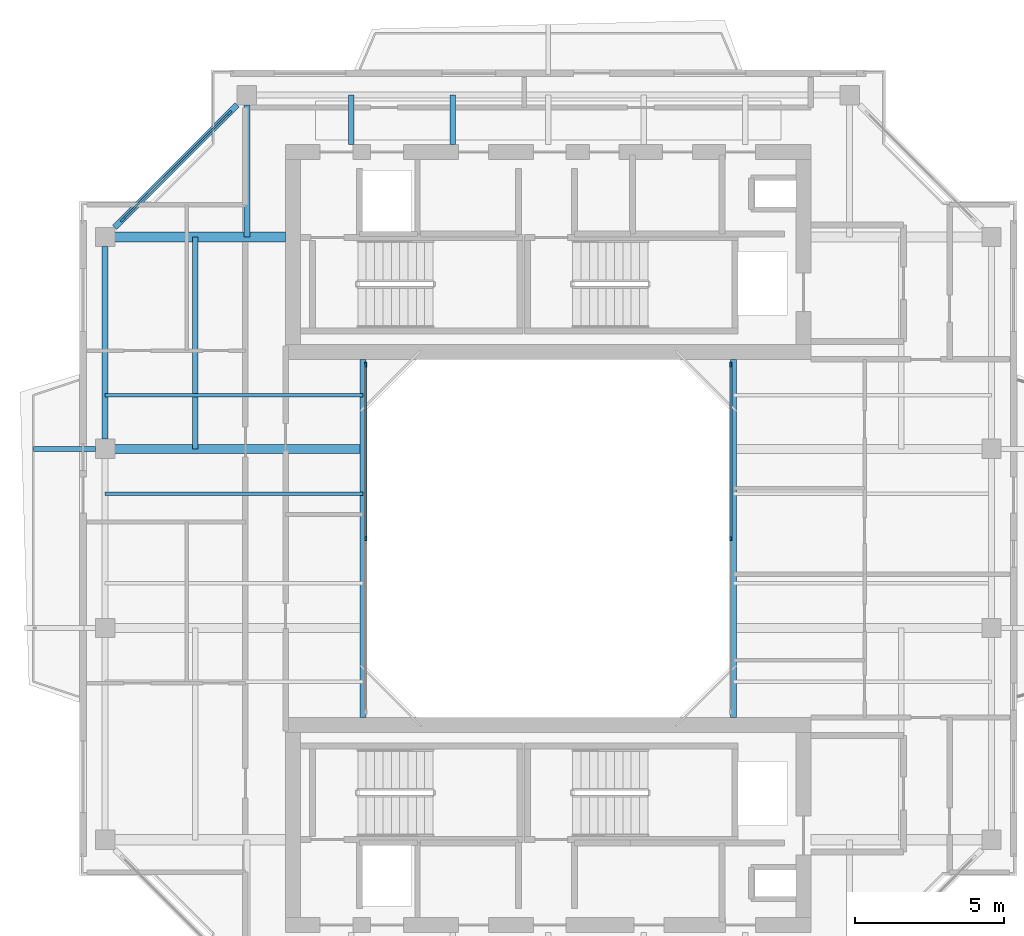
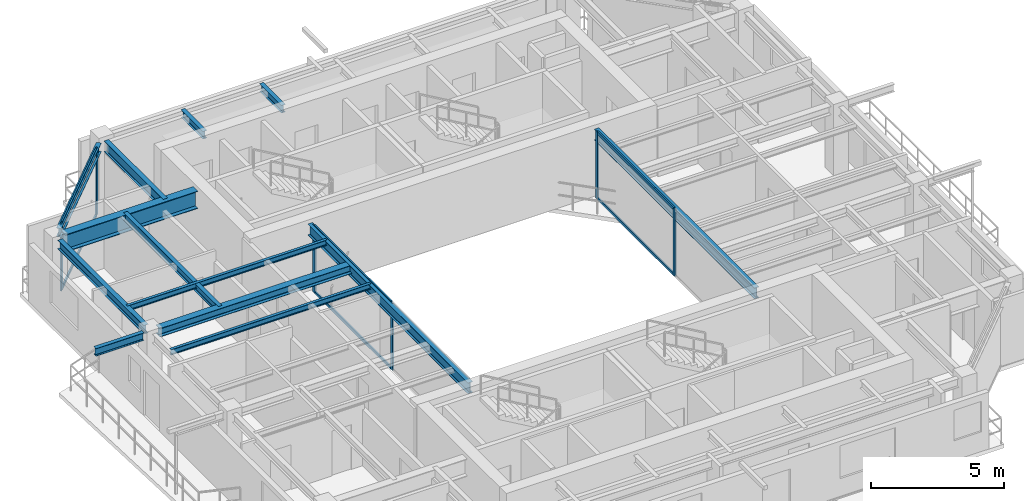
# One storey, part 5 of 14: 13 beams, 12 members, 3 elements without a shape of their own.
"""IFC4 building model written with IfcOpenShell, lengths in metres."""

import ifcopenshell
import ifcopenshell.guid

model = None  # the IFC model being written
_history = None  # IfcOwnerHistory: only IFC2X3 demands one
_inside = {}  # id of a spatial element -> (the spatial element, [elements in it])
_under = {}  # id of a project, library or spatial element -> (it, [spatial elements below it])
_declared = {}  # id of a project -> (the project, [libraries it declares])
_typed = {}  # id of a type object -> (the type object, [elements of that type])
_made_of = {}  # id of a material, layer set ... -> (it, [elements and type objects made of it])


def new_model(schema):
    """Start an empty IFC model of exactly this schema.

    Asked for "IFC4X3", IfcOpenShell would pick the latest addendum, in which some entities
    have other attributes; the version numbers below select the first issue.
    IFC2X3 requires an IfcOwnerHistory on every rooted entity: one is made here for all.
    """
    global model, _history
    if schema == "IFC4X3":
        model = ifcopenshell.file(schema_version=(4, 3, 0, 0))
    else:
        model = ifcopenshell.file(schema=schema)
    _inside.clear()
    _under.clear()
    _declared.clear()
    _typed.clear()
    _made_of.clear()
    _history = None
    if model.schema == "IFC2X3":
        org = make("IfcOrganization", Name="unknown")
        user = make(
            "IfcPersonAndOrganization",
            ThePerson=make("IfcPerson", FamilyName="unknown"),
            TheOrganization=org,
        )
        app = make(
            "IfcApplication",
            ApplicationDeveloper=org,
            Version="unknown",
            ApplicationFullName="unknown",
            ApplicationIdentifier="unknown",
        )
        _history = make(
            "IfcOwnerHistory",
            OwningUser=user,
            OwningApplication=app,
            ChangeAction="ADDED",
            CreationDate=0,
        )
    return model


def make(cls, **values):
    """One entity of the class cls with the attributes given. An attribute that is None is left unset."""
    return model.create_entity(
        cls, **{name: value for name, value in values.items() if value is not None}
    )


def rooted(cls, **values):
    """An entity with a GlobalId (a new one), such as an element, a storey or a relation."""
    return make(cls, GlobalId=ifcopenshell.guid.new(), OwnerHistory=_history, **values)


def si_unit(unit_type, name, prefix=None):
    """IfcSIUnit, for example si_unit("LENGTHUNIT", "METRE", prefix="MILLI")."""
    return make("IfcSIUnit", UnitType=unit_type, Prefix=prefix, Name=name)


def assignment(units):
    """IfcUnitAssignment: the units of a project."""
    return None if units is None else make("IfcUnitAssignment", Units=units)


def point(xyz):
    """IfcCartesianPoint."""
    return None if xyz is None else make("IfcCartesianPoint", Coordinates=xyz)


def direction(xyz):
    """IfcDirection."""
    return None if xyz is None else make("IfcDirection", DirectionRatios=xyz)


def frame(location, z_axis=None, x_axis=None):
    """IfcAxis2Placement3D, a coordinate frame: its origin and axes. An axis left out is left unset."""
    return make(
        "IfcAxis2Placement3D",
        Location=point(location),
        Axis=direction(z_axis),
        RefDirection=direction(x_axis),
    )


def frame_2d(location, x_axis=None):
    """IfcAxis2Placement2D, a coordinate frame in the plane: its origin and x axis."""
    return make(
        "IfcAxis2Placement2D", Location=point(location), RefDirection=direction(x_axis)
    )


def origin():
    """The frame at (0, 0, 0) with its axes left unset."""
    return frame((0.0, 0.0, 0.0))


def origin_2d():
    """The frame at (0, 0) in the plane with its x axis left unset."""
    return frame_2d((0.0, 0.0))


def place(relative_to, where):
    """IfcLocalPlacement: puts the frame where relative to a parent placement (None: the world)."""
    return make(
        "IfcLocalPlacement", PlacementRelTo=relative_to, RelativePlacement=where
    )


def context(
    kind, dimensions, precision=None, world=None, true_north=None, identifier=None
):
    """IfcGeometricRepresentationContext, for example the 3D "Model" context."""
    return make(
        "IfcGeometricRepresentationContext",
        ContextIdentifier=identifier,
        ContextType=kind,
        CoordinateSpaceDimension=dimensions,
        Precision=precision,
        WorldCoordinateSystem=world,
        TrueNorth=true_north,
    )


def subcontext(parent, identifier, kind, view, scale=None):
    """IfcGeometricRepresentationSubContext, for example "Body" below "Model"."""
    return make(
        "IfcGeometricRepresentationSubContext",
        ContextIdentifier=identifier,
        ContextType=kind,
        ParentContext=parent,
        TargetScale=scale,
        TargetView=view,
    )


def project(units=None, contexts=None):
    """IfcProject with its units and contexts."""
    return rooted(
        "IfcProject",
        Name="project",
        RepresentationContexts=contexts,
        UnitsInContext=assignment(units),
    )


def spatial(cls, under=None, at=None, **own):
    """A site, building, storey or space (cls), placed at a placement, below another one or the project."""
    s = rooted(cls, ObjectPlacement=at, **own)
    if under is not None:
        _under.setdefault(under.id(), (under, []))[1].append(s)
    return s


def profile(cls, at=None, kind="AREA", **sizes):
    """A parametric profile (cls). Its sizes go by their IFC names, for example OverallWidth=200.0."""
    return make(cls, ProfileType=kind, Position=at, **sizes)


def rectangle(**sizes):
    """IfcRectangleProfileDef."""
    return profile("IfcRectangleProfileDef", **sizes)


def i_section(**sizes):
    """IfcIShapeProfileDef."""
    return profile("IfcIShapeProfileDef", **sizes)


def extrude(swept, where, along, depth):
    """IfcExtrudedAreaSolid: the profile swept, set in the frame where, extruded along a direction by depth."""
    return make(
        "IfcExtrudedAreaSolid",
        SweptArea=swept,
        Position=where,
        ExtrudedDirection=direction(along),
        Depth=depth,
    )


def shape(context_of_items, identifier, shape_type, items):
    """IfcShapeRepresentation: the items that make up one representation, for example the "Body"."""
    return make(
        "IfcShapeRepresentation",
        ContextOfItems=context_of_items,
        RepresentationIdentifier=identifier,
        RepresentationType=shape_type,
        Items=items,
    )


def source(mapping_origin, context_of_items, identifier, shape_type, items):
    """IfcRepresentationMap: a shape defined once, which mapped items show again and again."""
    return make(
        "IfcRepresentationMap",
        MappingOrigin=mapping_origin,
        MappedRepresentation=shape(context_of_items, identifier, shape_type, items),
    )


def transform(
    local_origin,
    x_axis=None,
    y_axis=None,
    z_axis=None,
    scale=None,
    scale2=None,
    scale3=None,
    uniform=True,
):
    """IfcCartesianTransformationOperator3D, or its non-uniform kind. x_axis, y_axis, z_axis: its Axis1, 2, 3."""
    if uniform:
        return make(
            "IfcCartesianTransformationOperator3D",
            Axis1=direction(x_axis),
            Axis2=direction(y_axis),
            LocalOrigin=point(local_origin),
            Scale=scale,
            Axis3=direction(z_axis),
        )
    return make(
        "IfcCartesianTransformationOperator3DnonUniform",
        Axis1=direction(x_axis),
        Axis2=direction(y_axis),
        LocalOrigin=point(local_origin),
        Scale=scale,
        Axis3=direction(z_axis),
        Scale2=scale2,
        Scale3=scale3,
    )


def mapped(mapping_source, mapping_target):
    """IfcMappedItem: shows the shape of a source again, moved by a transform."""
    return make(
        "IfcMappedItem", MappingSource=mapping_source, MappingTarget=mapping_target
    )


def material(Name=None, Category=None):
    """IfcMaterial."""
    return make("IfcMaterial", Name=Name, Category=Category)


def layer(
    of_material, thickness, ventilated=None, Name=None, Category=None, Priority=None
):
    """IfcMaterialLayer: one layer of a wall or slab, of a material (None: an air gap)."""
    return make(
        "IfcMaterialLayer",
        Material=of_material,
        LayerThickness=thickness,
        IsVentilated=ventilated,
        Name=Name,
        Category=Category,
        Priority=Priority,
    )


def layer_set(layers, Name=None):
    """IfcMaterialLayerSet."""
    return make("IfcMaterialLayerSet", MaterialLayers=layers, LayerSetName=Name)


def material_profile(
    of_material, cross_section, Name=None, Category=None, Priority=None
):
    """IfcMaterialProfile: a cross section and its material."""
    return make(
        "IfcMaterialProfile",
        Name=Name,
        Material=of_material,
        Profile=cross_section,
        Priority=Priority,
        Category=Category,
    )


def profile_set(profiles, Name=None, composite=None):
    """IfcMaterialProfileSet."""
    return make(
        "IfcMaterialProfileSet",
        Name=Name,
        MaterialProfiles=profiles,
        CompositeProfile=composite,
    )


def made_of(thing, what):
    """Note that an element or type object is made of a material, layer set ...; save() writes the relation."""
    if what is not None:
        _made_of.setdefault(what.id(), (what, []))[1].append(thing)
    return thing


def type_object(cls, material=None, **own):
    """A type object (cls), such as IfcWallType, which elements share."""
    return made_of(rooted(cls, **own), material)


def element(
    cls,
    number,
    at=None,
    inside=None,
    cuts=None,
    type_object=None,
    material=None,
    context=None,
    identifier="Body",
    shape_type=None,
    held_by="IfcProductDefinitionShape",
    body=None,
    shapes=None,
    **own,
):
    """One element of the class cls, such as IfcWall. Its Tag is "e" and its number.

    at: its placement. inside: the storey or other place that contains it. cuts: it is an
    opening in that element (IfcRelVoidsElement). A single representation is given by context,
    identifier, shape_type and body (its items); several are given by shapes. held_by: the class
    of the entity that holds the representations. save() writes the other relations.
    """
    e = rooted(cls, Tag="e%d" % number, ObjectPlacement=at, **own)
    if body is not None:
        shapes = [shape(context, identifier, shape_type, body)]
    if shapes is not None:
        e.Representation = make(held_by, Representations=shapes)
    if inside is not None:
        _inside.setdefault(inside.id(), (inside, []))[1].append(e)
    if cuts is not None:
        rooted(
            "IfcRelVoidsElement", RelatingBuildingElement=cuts, RelatedOpeningElement=e
        )
    if type_object is not None:
        _typed.setdefault(type_object.id(), (type_object, []))[1].append(e)
    return made_of(e, material)


def aggregate(whole, parts):
    """IfcRelAggregates: a whole, such as a stair, and the parts it consists of."""
    return rooted("IfcRelAggregates", RelatingObject=whole, RelatedObjects=parts)


def save(model, path):
    """Write the relations noted so far, then the file.

    IfcRelAggregates (storeys below a building ...), IfcRelContainedInSpatialStructure (elements
    in a storey), IfcRelDefinesByType, IfcRelAssociatesMaterial and IfcRelDeclares: one each for
    every whole, place, type object, material and project.
    """
    for whole, parts in _under.values():
        aggregate(whole, parts)
    for where, things in _inside.values():
        rooted(
            "IfcRelContainedInSpatialStructure",
            RelatedElements=things,
            RelatingStructure=where,
        )
    for kind, things in _typed.values():
        rooted("IfcRelDefinesByType", RelatedObjects=things, RelatingType=kind)
    for what, things in _made_of.values():
        rooted("IfcRelAssociatesMaterial", RelatedObjects=things, RelatingMaterial=what)
    for by, libraries in _declared.values():
        rooted("IfcRelDeclares", RelatingContext=by, RelatedDefinitions=libraries)
    model.write(path)


model = new_model("IFC4")

# Units and contexts
model_context = context("Model", 3, precision=1e-05, world=origin(), true_north=direction((0.0, 1.0)))
body_context = subcontext(model_context, "Body", "Model", "MODEL_VIEW")
ifc_project = project(units=[si_unit("LENGTHUNIT", "METRE"), si_unit("AREAUNIT", "SQUARE_METRE"), si_unit("VOLUMEUNIT", "CUBIC_METRE"), si_unit("PLANEANGLEUNIT", "RADIAN"), si_unit("MASSUNIT", "GRAM", prefix="KILO"), si_unit("THERMODYNAMICTEMPERATUREUNIT", "KELVIN"), si_unit("POWERUNIT", "WATT")], contexts=[model_context])

# Site, building, storey
site_placement = place(None, origin())
site = spatial("IfcSite", under=ifc_project, at=site_placement, CompositionType="ELEMENT")
building_placement = place(site_placement, origin())
building = spatial("IfcBuilding", under=site, at=building_placement, Name="Qiaomeng Ring Towers", CompositionType="ELEMENT")
storey_placement = place(building_placement, frame((0.0, 0.0, 247.0)))
storey = spatial("IfcBuildingStorey", under=building, at=storey_placement, Name="L72", CompositionType="ELEMENT", Elevation=247.0)

# Beams
ifc_material_1 = material(Name="Steel Q355B", Category="steel")
ifc_material_profile_1 = material_profile(ifc_material_1, i_section(OverallWidth=0.199951171875, OverallDepth=0.5, WebThickness=0.010009765625, FlangeThickness=0.01611328125, FilletRadius=0.02001953125, at=origin_2d()), Name="HN 500x200x10x16")
ifc_profile_set_1 = profile_set([ifc_material_profile_1], Name="Steel Q355B")
beam_type_1 = type_object("IfcBeamType", Name="STR-BM-HN500", PredefinedType="BEAM", material=ifc_profile_set_1)
shared_shape_1 = source(origin(), body_context, "Body", "SweptSolid", [
    extrude(i_section(OverallWidth=0.199951171875, OverallDepth=0.5, WebThickness=0.010009765625, FlangeThickness=0.01611328125, FilletRadius=0.02001953125, at=origin_2d()), origin(), (0.0, 0.0, 1.0), 12.0),
])
for number, where, z_axis, x_axis, name in (
    (1, (12.800048828125, 17.0, 2.820068359375), (0.0, 1.0, 0.0), (-1.0, 0.0, 0.0), "L72 beam STR-BM-L72-WELL-W"),
    (2, (25.199951171875, 17.0, 2.820068359375), (0.0, 1.0, 0.0), (-1.0, 0.0, 0.0), "L72 beam STR-BM-L72-WELL-E"),
):
    element("IfcBeam", number, at=place(storey_placement, frame(where, z_axis=z_axis, x_axis=x_axis)), inside=storey, type_object=beam_type_1, Name=name, PredefinedType="BEAM", context=body_context, shape_type="MappedRepresentation", body=[
        mapped(shared_shape_1, transform((0.0, 0.0, 0.0), x_axis=(1.0, 0.0, 0.0), y_axis=(0.0, 1.0, 0.0), z_axis=(0.0, 0.0, 1.0), scale=1.0)),
    ])
ifc_material_profile_2 = material_profile(ifc_material_1, i_section(OverallWidth=0.198974609375, OverallDepth=0.39599609375, WebThickness=0.007080078125, FlangeThickness=0.010986328125, FilletRadius=0.01611328125, at=origin_2d()), Name="HN 396x199x7x11")
ifc_profile_set_2 = profile_set([ifc_material_profile_2], Name="Steel Q355B")
beam_type_2 = type_object("IfcBeamType", Name="STR-BM-HN396", PredefinedType="SPANDREL", material=ifc_profile_set_2)
shared_shape_2 = source(origin(), body_context, "Body", "SweptSolid", [
    extrude(i_section(OverallWidth=0.198974609375, OverallDepth=0.39599609375, WebThickness=0.007080078125, FlangeThickness=0.010986328125, FilletRadius=0.01611328125, at=origin_2d()), origin(), (0.0, 0.0, 1.0), 5.800048828125),
])
beam_1_placement = place(storey_placement, frame((8.57568359375, 37.525634765625, 2.8720703125), z_axis=(-0.707106781187, -0.707106781187, 0.0), x_axis=(0.707106781187, -0.707106781187, 0.0)))
element("IfcBeam", 3, at=beam_1_placement, inside=storey, type_object=beam_type_2, Name="L72 beam STR-SP-L72-T1-N1-W4", PredefinedType="SPANDREL", context=body_context, shape_type="MappedRepresentation", body=[
    mapped(shared_shape_2, transform((0.0, 0.0, 0.0), x_axis=(1.0, 0.0, 0.0), y_axis=(0.0, 1.0, 0.0), z_axis=(0.0, 0.0, 1.0), scale=1.0)),
])
shared_shape_3 = source(origin(), body_context, "Body", "SweptSolid", [
    extrude(i_section(OverallWidth=0.198974609375, OverallDepth=0.39599609375, WebThickness=0.007080078125, FlangeThickness=0.010986328125, FilletRadius=0.01611328125, at=origin_2d()), origin(), (0.0, 0.0, 1.0), 6.451904296875),
])
beam_2_placement = place(storey_placement, frame((4.14990234375, 32.77587890625, 2.8720703125), z_axis=(0.0, -1.0, 0.0), x_axis=(1.0, 0.0, 0.0)))
element("IfcBeam", 4, at=beam_2_placement, inside=storey, type_object=beam_type_2, Name="L72 beam STR-SP-L72-T1-W4-W3", PredefinedType="SPANDREL", context=body_context, shape_type="MappedRepresentation", body=[
    mapped(shared_shape_3, transform((0.0, 0.0, 0.0), x_axis=(1.0, 0.0, 0.0), y_axis=(0.0, 1.0, 0.0), z_axis=(0.0, 0.0, 1.0), scale=1.0)),
])
ifc_material_2 = material(Name="Steel Q390GJC", Category="steel")
ifc_material_profile_3 = material_profile(ifc_material_2, i_section(OverallWidth=0.35009765625, OverallDepth=0.800048828125, WebThickness=0.01611328125, FlangeThickness=0.028076171875, at=origin_2d()), Name="WH 800x350x16x28")
ifc_profile_set_3 = profile_set([ifc_material_profile_3], Name="Steel Q390GJC")
beam_type_3 = type_object("IfcBeamType", Name="STR-BM-WH800", PredefinedType="BEAM", material=ifc_profile_set_3)
shared_shape_4 = source(origin(), body_context, "Body", "SweptSolid", [
    extrude(i_section(OverallWidth=0.35009765625, OverallDepth=0.800048828125, WebThickness=0.01611328125, FlangeThickness=0.028076171875, at=origin_2d()), origin(), (0.0, 0.0, 1.0), 5.725830078125),
])
beam_3_placement = place(storey_placement, frame((4.47412109375, 33.10009765625, 2.669921875), z_axis=(1.0, 0.0, 0.0), x_axis=(0.0, 1.0, 0.0)))
element("IfcBeam", 5, at=beam_3_placement, inside=storey, type_object=beam_type_3, Name="L72 beam STR-BM-L72-T1-RAD-W4", PredefinedType="BEAM", context=body_context, shape_type="MappedRepresentation", body=[
    mapped(shared_shape_4, transform((0.0, 0.0, 0.0), x_axis=(1.0, 0.0, 0.0), y_axis=(0.0, 1.0, 0.0), z_axis=(0.0, 0.0, 1.0), scale=1.0)),
])
ifc_material_profile_4 = material_profile(ifc_material_1, i_section(OverallWidth=0.198974609375, OverallDepth=0.49609375, WebThickness=0.009033203125, FlangeThickness=0.013916015625, FilletRadius=0.01806640625, at=origin_2d()), Name="HN 496x199x9x14")
ifc_profile_set_4 = profile_set([ifc_material_profile_4], Name="Steel Q355B")
beam_type_4 = type_object("IfcBeamType", Name="STR-BM-HN496", PredefinedType="BEAM", material=ifc_profile_set_4)
shared_shape_5 = source(origin(), body_context, "Body", "SweptSolid", [
    extrude(i_section(OverallWidth=0.198974609375, OverallDepth=0.49609375, WebThickness=0.009033203125, FlangeThickness=0.013916015625, FilletRadius=0.01806640625, at=origin_2d()), origin(), (0.0, 0.0, 1.0), 4.42578125),
])
beam_4_placement = place(storey_placement, frame((8.89990234375, 37.52587890625, 2.822021484375), z_axis=(0.0, -1.0, 0.0), x_axis=(1.0, 0.0, 0.0)))
element("IfcBeam", 6, at=beam_4_placement, inside=storey, type_object=beam_type_4, Name="L72 beam STR-BM-L72-T1-RAD-N1", PredefinedType="BEAM", context=body_context, shape_type="MappedRepresentation", body=[
    mapped(shared_shape_5, transform((0.0, 0.0, 0.0), x_axis=(1.0, 0.0, 0.0), y_axis=(0.0, 1.0, 0.0), z_axis=(0.0, 0.0, 1.0), scale=1.0)),
])
ifc_material_profile_5 = material_profile(ifc_material_1, i_section(OverallWidth=0.300048828125, OverallDepth=0.389892578125, WebThickness=0.010009765625, FlangeThickness=0.01611328125, FilletRadius=0.02197265625, at=origin_2d()), Name="HM 390x300x10x16")
ifc_profile_set_5 = profile_set([ifc_material_profile_5], Name="Steel Q355B")
beam_type_5 = type_object("IfcBeamType", Name="STR-BM-HM390", PredefinedType="BEAM", material=ifc_profile_set_5)
shared_shape_6 = source(origin(), body_context, "Body", "SweptSolid", [
    extrude(i_section(OverallWidth=0.300048828125, OverallDepth=0.389892578125, WebThickness=0.010009765625, FlangeThickness=0.01611328125, FilletRadius=0.02197265625, at=origin_2d()), origin(), (0.0, 0.0, 1.0), 8.325927734375),
])
beam_5_placement = place(storey_placement, frame((4.47412109375, 26.0, 2.875), z_axis=(1.0, 0.0, 0.0), x_axis=(0.0, 1.0, 0.0)))
element("IfcBeam", 7, at=beam_5_placement, inside=storey, type_object=beam_type_5, Name="L72 beam STR-BM-L72-T1-RAD-W3", PredefinedType="BEAM", context=body_context, shape_type="MappedRepresentation", body=[
    mapped(shared_shape_6, transform((0.0, 0.0, 0.0), x_axis=(1.0, 0.0, 0.0), y_axis=(0.0, 1.0, 0.0), z_axis=(0.0, 0.0, 1.0), scale=1.0)),
])
ifc_material_profile_6 = material_profile(ifc_material_1, i_section(OverallWidth=0.175048828125, OverallDepth=0.35009765625, WebThickness=0.007080078125, FlangeThickness=0.010986328125, FilletRadius=0.013916015625, at=origin_2d()), Name="HN 350x175x7x11")
ifc_profile_set_6 = profile_set([ifc_material_profile_6], Name="Steel Q355B")
beam_type_6 = type_object("IfcBeamType", Name="STR-BM-HN350", PredefinedType="JOIST", material=ifc_profile_set_6)
shared_shape_7 = source(origin(), body_context, "Body", "SweptSolid", [
    extrude(i_section(OverallWidth=0.175048828125, OverallDepth=0.35009765625, WebThickness=0.007080078125, FlangeThickness=0.010986328125, FilletRadius=0.013916015625, at=origin_2d()), origin(), (0.0, 0.0, 1.0), 2.075927734375),
])
beam_6_placement = place(storey_placement, frame((1.75, 26.0, 2.89501953125), z_axis=(1.0, 0.0, 0.0), x_axis=(0.0, 1.0, 0.0)))
element("IfcBeam", 8, at=beam_6_placement, inside=storey, type_object=beam_type_6, Name="L72 beam STR-BALBM-L72-W3", PredefinedType="JOIST", context=body_context, shape_type="MappedRepresentation", body=[
    mapped(shared_shape_7, transform((0.0, 0.0, 0.0), x_axis=(1.0, 0.0, 0.0), y_axis=(0.0, 1.0, 0.0), z_axis=(0.0, 0.0, 1.0), scale=1.0)),
])
shared_shape_8 = source(origin(), body_context, "Body", "SweptSolid", [
    extrude(i_section(OverallWidth=0.175048828125, OverallDepth=0.35009765625, WebThickness=0.007080078125, FlangeThickness=0.010986328125, FilletRadius=0.013916015625, at=origin_2d()), origin(), (0.0, 0.0, 1.0), 1.650146484375),
])
for number, where, z_axis, x_axis, name in (
    (9, (12.39990234375, 36.199951171875, 2.89501953125), (0.0, 1.0, 0.0), (-1.0, 0.0, 0.0), "L72 beam STR-JST-L72-T1N-1"),
    (10, (15.800048828125, 36.199951171875, 2.89501953125), (0.0, 1.0, 0.0), (-1.0, 0.0, 0.0), "L72 beam STR-JST-L72-T1N-2"),
):
    element("IfcBeam", number, at=place(storey_placement, frame(where, z_axis=z_axis, x_axis=x_axis)), inside=storey, type_object=beam_type_6, Name=name, PredefinedType="JOIST", context=body_context, shape_type="MappedRepresentation", body=[
        mapped(shared_shape_8, transform((0.0, 0.0, 0.0), x_axis=(1.0, 0.0, 0.0), y_axis=(0.0, 1.0, 0.0), z_axis=(0.0, 0.0, 1.0), scale=1.0)),
    ])
ifc_material_profile_7 = material_profile(ifc_material_1, i_section(OverallWidth=0.125, OverallDepth=0.25, WebThickness=0.006103515625, FlangeThickness=0.009033203125, FilletRadius=0.011962890625, at=origin_2d()), Name="HN 250x125x6x9")
ifc_profile_set_7 = profile_set([ifc_material_profile_7], Name="Steel Q355B")
beam_type_7 = type_object("IfcBeamType", Name="STR-BM-HN250", PredefinedType="JOIST", material=ifc_profile_set_7)
shared_shape_9 = source(origin(), body_context, "Body", "SweptSolid", [
    extrude(i_section(OverallWidth=0.125, OverallDepth=0.25, WebThickness=0.006103515625, FlangeThickness=0.009033203125, FilletRadius=0.011962890625, at=origin_2d()), origin(), (0.0, 0.0, 1.0), 8.650146484375),
])
for number, where, z_axis, x_axis, name in (
    (11, (4.14990234375, 24.5, 2.945068359375), (1.0, 0.0, 0.0), (0.0, 1.0, 0.0), "L72 beam STR-JST-L72-T1W-3"),
    (12, (4.14990234375, 27.800048828125, 2.945068359375), (1.0, 0.0, 0.0), (0.0, 1.0, 0.0), "L72 beam STR-JST-L72-T1W-4"),
):
    element("IfcBeam", number, at=place(storey_placement, frame(where, z_axis=z_axis, x_axis=x_axis)), inside=storey, type_object=beam_type_7, Name=name, PredefinedType="JOIST", context=body_context, shape_type="MappedRepresentation", body=[
        mapped(shared_shape_9, transform((0.0, 0.0, 0.0), x_axis=(1.0, 0.0, 0.0), y_axis=(0.0, 1.0, 0.0), z_axis=(0.0, 0.0, 1.0), scale=1.0)),
    ])
shared_shape_10 = source(origin(), body_context, "Body", "SweptSolid", [
    extrude(i_section(OverallWidth=0.175048828125, OverallDepth=0.35009765625, WebThickness=0.007080078125, FlangeThickness=0.010986328125, FilletRadius=0.013916015625, at=origin_2d()), origin(), (0.0, 0.0, 1.0), 7.10009765625),
])
beam_7_placement = place(storey_placement, frame((7.175048828125, 26.0, 2.89501953125), z_axis=(0.0, 1.0, 0.0), x_axis=(-1.0, 0.0, 0.0)))
element("IfcBeam", 13, at=beam_7_placement, inside=storey, type_object=beam_type_6, Name="L72 beam STR-JST-L72-T1C-WN", PredefinedType="JOIST", context=body_context, shape_type="MappedRepresentation", body=[
    mapped(shared_shape_10, transform((0.0, 0.0, 0.0), x_axis=(1.0, 0.0, 0.0), y_axis=(0.0, 1.0, 0.0), z_axis=(0.0, 0.0, 1.0), scale=1.0)),
])

# Curtain wall, members
ifc_material_3 = material(Name="Fluorocarbon dark-grey aluminium", Category="aluminium")
ifc_layer_1 = layer(ifc_material_3, 0.139892578125, Name="Fluorocarbon dark-grey aluminium")
ifc_layer_set_1 = layer_set([ifc_layer_1], Name="Fluorocarbon dark-grey aluminium")
curtain_wall_type_1 = type_object("IfcCurtainWallType", Name="ARC-CW-4", PredefinedType="NOTDEFINED", material=ifc_layer_set_1)
curtain_wall_1_placement = place(storey_placement, origin())
curtain_wall_1 = element("IfcCurtainWall", 14, at=curtain_wall_1_placement, inside=storey, type_object=curtain_wall_type_1, Name="L72 Curtain Wall CW4", PredefinedType="NOTDEFINED")
ifc_material_profile_8 = material_profile(ifc_material_3, rectangle(XDim=0.06494140625, YDim=0.159912109375, at=origin_2d()), Name="ALU MULL 65x160")
ifc_profile_set_8 = profile_set([ifc_material_profile_8], Name="Fluorocarbon dark-grey aluminium")
member_type_1 = type_object("IfcMemberType", Name="ARC-CWM-140", PredefinedType="MULLION", material=ifc_profile_set_8)
shared_shape_11 = source(origin(), body_context, "Body", "SweptSolid", [
    extrude(rectangle(XDim=0.06494140625, YDim=0.159912109375, at=origin_2d()), origin(), (0.0, 0.0, 1.0), 3.070068359375),
])
member_1_placement = place(storey_placement, frame((12.8798828125, 23.0, 0.0), z_axis=(0.0, 0.0, 1.0), x_axis=(-1.0, 0.0, 0.0)))
member_1 = element("IfcMember", 15, at=member_1_placement, type_object=member_type_1, Name="CW4 mullion 2", PredefinedType="MULLION", context=body_context, shape_type="MappedRepresentation", body=[
    mapped(shared_shape_11, transform((0.0, 0.0, 0.0), x_axis=(1.0, 0.0, 0.0), y_axis=(0.0, 1.0, 0.0), z_axis=(0.0, 0.0, 1.0), scale=1.0)),
])
member_2_placement = place(storey_placement, frame((12.8798828125, 28.8173828125, 0.0), z_axis=(0.0, 0.0, 1.0), x_axis=(-1.0, 0.0, 0.0)))
member_2 = element("IfcMember", 16, at=member_2_placement, type_object=member_type_1, Name="CW4 mullion 3", PredefinedType="MULLION", context=body_context, shape_type="MappedRepresentation", body=[
    mapped(shared_shape_11, transform((0.0, 0.0, 0.0), x_axis=(1.0, 0.0, 0.0), y_axis=(0.0, 1.0, 0.0), z_axis=(0.0, 0.0, 1.0), scale=1.0)),
])

curtain_wall_2_placement = place(storey_placement, origin())
curtain_wall_2 = element("IfcCurtainWall", 17, at=curtain_wall_2_placement, inside=storey, type_object=curtain_wall_type_1, Name="L72 Curtain Wall CW4", PredefinedType="NOTDEFINED")
member_3_placement = place(storey_placement, frame((25.1201171875, 23.0, 0.0), z_axis=(0.0, 0.0, 1.0), x_axis=(-1.0, 0.0, 0.0)))
member_3 = element("IfcMember", 18, at=member_3_placement, type_object=member_type_1, Name="CW4 mullion 2", PredefinedType="MULLION", context=body_context, shape_type="MappedRepresentation", body=[
    mapped(shared_shape_11, transform((0.0, 0.0, 0.0), x_axis=(1.0, 0.0, 0.0), y_axis=(0.0, 1.0, 0.0), z_axis=(0.0, 0.0, 1.0), scale=1.0)),
])
member_4_placement = place(storey_placement, frame((25.1201171875, 28.8173828125, 0.0), z_axis=(0.0, 0.0, 1.0), x_axis=(-1.0, 0.0, 0.0)))
member_4 = element("IfcMember", 19, at=member_4_placement, type_object=member_type_1, Name="CW4 mullion 3", PredefinedType="MULLION", context=body_context, shape_type="MappedRepresentation", body=[
    mapped(shared_shape_11, transform((0.0, 0.0, 0.0), x_axis=(1.0, 0.0, 0.0), y_axis=(0.0, 1.0, 0.0), z_axis=(0.0, 0.0, 1.0), scale=1.0)),
])

# Member
ifc_material_profile_9 = material_profile(ifc_material_3, rectangle(XDim=0.06494140625, YDim=0.1298828125, at=origin_2d()), Name="ALU TRAN 65x130")
ifc_profile_set_9 = profile_set([ifc_material_profile_9], Name="Fluorocarbon dark-grey aluminium")
member_type_2 = type_object("IfcMemberType", Name="ARC-CWT-120", PredefinedType="USERDEFINED", material=ifc_profile_set_9)
shared_shape_12 = source(origin(), body_context, "Body", "SweptSolid", [
    extrude(rectangle(XDim=0.06494140625, YDim=0.1298828125, at=origin_2d()), origin(), (0.0, 0.0, 1.0), 5.75244140625),
])
member_5_placement = place(storey_placement, frame((12.8798828125, 23.032470703125, 0.032470703125), z_axis=(0.0, 1.0, 0.0), x_axis=(-1.0, 0.0, 0.0)))
member_5 = element("IfcMember", 20, at=member_5_placement, type_object=member_type_2, Name="CW4 transom 2.1", ObjectType="TRANSOM", PredefinedType="USERDEFINED", context=body_context, shape_type="MappedRepresentation", body=[
    mapped(shared_shape_12, transform((0.0, 0.0, 0.0), x_axis=(1.0, 0.0, 0.0), y_axis=(0.0, 1.0, 0.0), z_axis=(0.0, 0.0, 1.0), scale=1.0)),
])

member_6_placement = place(storey_placement, frame((12.8798828125, 23.032470703125, 3.03759765625), z_axis=(0.0, 1.0, 0.0), x_axis=(-1.0, 0.0, 0.0)))
member_6 = element("IfcMember", 21, at=member_6_placement, type_object=member_type_2, Name="CW4 transom 2.2", ObjectType="TRANSOM", PredefinedType="USERDEFINED", context=body_context, shape_type="MappedRepresentation", body=[
    mapped(shared_shape_12, transform((0.0, 0.0, 0.0), x_axis=(1.0, 0.0, 0.0), y_axis=(0.0, 1.0, 0.0), z_axis=(0.0, 0.0, 1.0), scale=1.0)),
])

aggregate(curtain_wall_1, [member_1, member_2, member_5, member_6])

member_7_placement = place(storey_placement, frame((25.1201171875, 23.032470703125, 0.032470703125), z_axis=(0.0, 1.0, 0.0), x_axis=(-1.0, 0.0, 0.0)))
member_7 = element("IfcMember", 22, at=member_7_placement, type_object=member_type_2, Name="CW4 transom 2.1", ObjectType="TRANSOM", PredefinedType="USERDEFINED", context=body_context, shape_type="MappedRepresentation", body=[
    mapped(shared_shape_12, transform((0.0, 0.0, 0.0), x_axis=(1.0, 0.0, 0.0), y_axis=(0.0, 1.0, 0.0), z_axis=(0.0, 0.0, 1.0), scale=1.0)),
])

member_8_placement = place(storey_placement, frame((25.1201171875, 23.032470703125, 3.03759765625), z_axis=(0.0, 1.0, 0.0), x_axis=(-1.0, 0.0, 0.0)))
member_8 = element("IfcMember", 23, at=member_8_placement, type_object=member_type_2, Name="CW4 transom 2.2", ObjectType="TRANSOM", PredefinedType="USERDEFINED", context=body_context, shape_type="MappedRepresentation", body=[
    mapped(shared_shape_12, transform((0.0, 0.0, 0.0), x_axis=(1.0, 0.0, 0.0), y_axis=(0.0, 1.0, 0.0), z_axis=(0.0, 0.0, 1.0), scale=1.0)),
])

aggregate(curtain_wall_2, [member_3, member_4, member_7, member_8])

# Curtain wall, members
ifc_layer_2 = layer(ifc_material_3, 0.14990234375, Name="Fluorocarbon dark-grey aluminium")
ifc_layer_set_2 = layer_set([ifc_layer_2], Name="Fluorocarbon dark-grey aluminium")
curtain_wall_type_2 = type_object("IfcCurtainWallType", Name="ARC-CW-3", PredefinedType="NOTDEFINED", material=ifc_layer_set_2)
curtain_wall_3_placement = place(storey_placement, origin())
curtain_wall_3 = element("IfcCurtainWall", 24, at=curtain_wall_3_placement, inside=storey, type_object=curtain_wall_type_2, Name="L72 Curtain Wall CW3", PredefinedType="NOTDEFINED")
ifc_material_profile_10 = material_profile(ifc_material_3, rectangle(XDim=0.070068359375, YDim=0.179931640625, at=origin_2d()), Name="ALU MULL 70x180")
ifc_profile_set_10 = profile_set([ifc_material_profile_10], Name="Fluorocarbon dark-grey aluminium")
member_type_3 = type_object("IfcMemberType", Name="ARC-CWM-160", PredefinedType="MULLION", material=ifc_profile_set_10)
shared_shape_13 = source(origin(), body_context, "Body", "SweptSolid", [
    extrude(rectangle(XDim=0.070068359375, YDim=0.179931640625, at=origin_2d()), origin(), (0.0, 0.0, 1.0), 3.070068359375),
])
member_9_placement = place(storey_placement, frame((8.310302734375, 37.26025390625, 0.0), z_axis=(0.0, 0.0, 1.0), x_axis=(0.707106781187, -0.707106781187, 0.0)))
member_9 = element("IfcMember", 25, at=member_9_placement, type_object=member_type_3, Name="CW3 mullion 1", PredefinedType="MULLION", context=body_context, shape_type="MappedRepresentation", body=[
    mapped(shared_shape_13, transform((0.0, 0.0, 0.0), x_axis=(1.0, 0.0, 0.0), y_axis=(0.0, 1.0, 0.0), z_axis=(0.0, 0.0, 1.0), scale=1.0)),
])
member_10_placement = place(storey_placement, frame((4.73974609375, 33.689697265625, 0.0), z_axis=(0.0, 0.0, 1.0), x_axis=(0.707106781187, -0.707106781187, 0.0)))
member_10 = element("IfcMember", 26, at=member_10_placement, type_object=member_type_3, Name="CW3 mullion 2", PredefinedType="MULLION", context=body_context, shape_type="MappedRepresentation", body=[
    mapped(shared_shape_13, transform((0.0, 0.0, 0.0), x_axis=(1.0, 0.0, 0.0), y_axis=(0.0, 1.0, 0.0), z_axis=(0.0, 0.0, 1.0), scale=1.0)),
])
shared_shape_14 = source(origin(), body_context, "Body", "SweptSolid", [
    extrude(rectangle(XDim=0.06494140625, YDim=0.1298828125, at=origin_2d()), origin(), (0.0, 0.0, 1.0), 4.9794921875),
])
member_11_placement = place(storey_placement, frame((8.285400390625, 37.235595703125, 0.032470703125), z_axis=(-0.707106781187, -0.707106781187, 0.0), x_axis=(0.707106781187, -0.707106781187, 0.0)))
member_11 = element("IfcMember", 27, at=member_11_placement, type_object=member_type_2, Name="CW3 transom 1.1", ObjectType="TRANSOM", PredefinedType="USERDEFINED", context=body_context, shape_type="MappedRepresentation", body=[
    mapped(shared_shape_14, transform((0.0, 0.0, 0.0), x_axis=(1.0, 0.0, 0.0), y_axis=(0.0, 1.0, 0.0), z_axis=(0.0, 0.0, 1.0), scale=1.0)),
])
member_12_placement = place(storey_placement, frame((8.285400390625, 37.235595703125, 3.03759765625), z_axis=(-0.707106781187, -0.707106781187, 0.0), x_axis=(0.707106781187, -0.707106781187, 0.0)))
member_12 = element("IfcMember", 28, at=member_12_placement, type_object=member_type_2, Name="CW3 transom 1.2", ObjectType="TRANSOM", PredefinedType="USERDEFINED", context=body_context, shape_type="MappedRepresentation", body=[
    mapped(shared_shape_14, transform((0.0, 0.0, 0.0), x_axis=(1.0, 0.0, 0.0), y_axis=(0.0, 1.0, 0.0), z_axis=(0.0, 0.0, 1.0), scale=1.0)),
])
aggregate(curtain_wall_3, [member_9, member_10, member_11, member_12])

save(model, "model.ifc")
